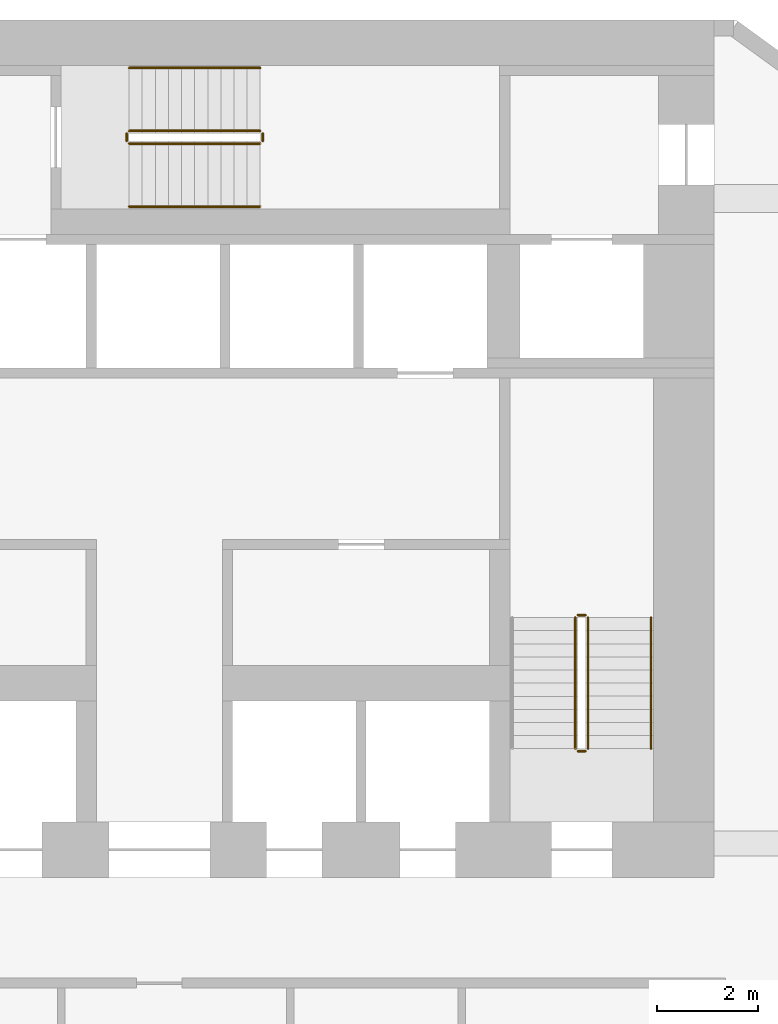
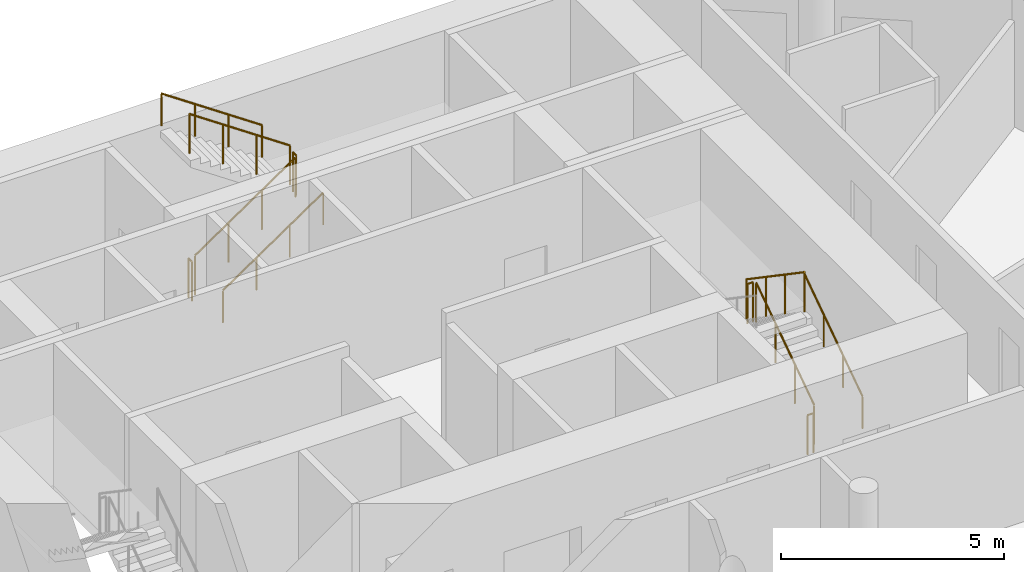
# One storey, part 9 of 9: 11 railings.
"""IFC4 building model written with IfcOpenShell, lengths in metres."""

from ifc_helpers import new_model, si_unit, direction, frame, origin, origin_2d, place, context, subcontext, project, spatial, circle, extrude, material, type_object, element, save


model = new_model("IFC4")

# Units and contexts
model_context = context("Model", 3, precision=1e-05, world=origin(), true_north=direction((0.0, 1.0)))
body_context = subcontext(model_context, "Body", "Model", "MODEL_VIEW")
ifc_project = project(units=[si_unit("LENGTHUNIT", "METRE"), si_unit("AREAUNIT", "SQUARE_METRE"), si_unit("VOLUMEUNIT", "CUBIC_METRE"), si_unit("PLANEANGLEUNIT", "RADIAN"), si_unit("MASSUNIT", "GRAM", prefix="KILO")], contexts=[model_context])

# Site, building, storey
site_placement = place(None, origin())
site = spatial("IfcSite", under=ifc_project, at=site_placement, CompositionType="ELEMENT")
building_placement = place(site_placement, origin())
building = spatial("IfcBuilding", under=site, at=building_placement, Name="White Candle Pilgrim Tower", CompositionType="ELEMENT")
storey_placement = place(building_placement, frame((0.0, 0.0, 110.300048828125)))
storey = spatial("IfcBuildingStorey", under=building, at=storey_placement, Name="L24", CompositionType="ELEMENT", Elevation=110.300048828125)

# Railings
ifc_material = material(Name="Stainless steel", Category="steel")
railing_type_1 = type_object("IfcRailingType", Name="Stair guard stainless steel 1100 mm", PredefinedType="GUARDRAIL", material=ifc_material)
railing_1_placement = place(storey_placement, frame((78.5, 73.550048828125, 0.17724609375)))
element("IfcRailing", 1, at=railing_1_placement, inside=storey, type_object=railing_type_1, Name="L24 ST2 stair guard 1", PredefinedType="GUARDRAIL", context=body_context, shape_type="SweptSolid", body=[
    extrude(circle(Radius=0.02392578125, at=origin_2d()), frame((0.0, 0.0, 1.076171875), z_axis=(0.0, 0.826215852431, 0.563353676824), x_axis=(-1.0, 0.0, 0.0)), (0.0, 0.0, 1.0), 3.146728515625),
    extrude(circle(Radius=0.02099609375, at=origin_2d()), origin(), (0.0, 0.0, 1.0), 1.052001953125),
    extrude(circle(Radius=0.02099609375, at=origin_2d()), frame((0.0, 0.86669921875, 0.5908203125)), (0.0, 0.0, 1.0), 1.052001953125),
    extrude(circle(Radius=0.02099609375, at=origin_2d()), frame((0.0, 1.733154296875, 1.181884765625)), (0.0, 0.0, 1.0), 1.052001953125),
    extrude(circle(Radius=0.02099609375, at=origin_2d()), frame((0.0, 2.599853515625, 1.772705078125)), (0.0, 0.0, 1.0), 1.052001953125),
])
railing_2_placement = place(storey_placement, frame((78.449951171875, 76.199951171875, 1.949951171875)))
element("IfcRailing", 2, at=railing_2_placement, inside=storey, type_object=railing_type_1, Name="L24 ST2 stair guard 2", PredefinedType="GUARDRAIL", context=body_context, shape_type="SweptSolid", body=[
    extrude(circle(Radius=0.02392578125, at=origin_2d()), frame((0.0, 0.0, 1.076171875), z_axis=(-1.0, 0.0, 0.0), x_axis=(0.0, -1.0, 0.0)), (0.0, 0.0, 1.0), 0.14990234375),
    extrude(circle(Radius=0.02099609375, at=origin_2d()), origin(), (0.0, 0.0, 1.0), 1.052001953125),
    extrude(circle(Radius=0.02099609375, at=origin_2d()), frame((-0.14990234375, 0.0, 0.0)), (0.0, 0.0, 1.0), 1.052001953125),
])
railing_3_placement = place(storey_placement, frame((78.25, 76.14990234375, 2.127197265625)))
element("IfcRailing", 3, at=railing_3_placement, inside=storey, type_object=railing_type_1, Name="L24 ST2 stair guard 3", PredefinedType="GUARDRAIL", context=body_context, shape_type="SweptSolid", body=[
    extrude(circle(Radius=0.02392578125, at=origin_2d()), frame((0.0, 0.0, 1.076171875), z_axis=(0.0, -0.826215852431, 0.563353676824), x_axis=(1.0, 0.0, 0.0)), (0.0, 0.0, 1.0), 3.146728515625),
    extrude(circle(Radius=0.02099609375, at=origin_2d()), origin(), (0.0, 0.0, 1.0), 1.052001953125),
    extrude(circle(Radius=0.02099609375, at=origin_2d()), frame((0.0, -0.86669921875, 0.5908203125)), (0.0, 0.0, 1.0), 1.052001953125),
    extrude(circle(Radius=0.02099609375, at=origin_2d()), frame((0.0, -1.733154296875, 1.181884765625)), (0.0, 0.0, 1.0), 1.052001953125),
    extrude(circle(Radius=0.02099609375, at=origin_2d()), frame((0.0, -2.599853515625, 1.772705078125)), (0.0, 0.0, 1.0), 1.052001953125),
])
railing_4_placement = place(storey_placement, frame((78.449951171875, 73.5, 0.0)))
element("IfcRailing", 4, at=railing_4_placement, inside=storey, type_object=railing_type_1, Name="L24 ST2 stair guard 4", PredefinedType="GUARDRAIL", context=body_context, shape_type="SweptSolid", body=[
    extrude(circle(Radius=0.02392578125, at=origin_2d()), frame((0.0, 0.0, 1.076171875), z_axis=(-1.0, 0.0, 0.0), x_axis=(0.0, -1.0, 0.0)), (0.0, 0.0, 1.0), 0.14990234375),
    extrude(circle(Radius=0.02099609375, at=origin_2d()), origin(), (0.0, 0.0, 1.0), 1.052001953125),
    extrude(circle(Radius=0.02099609375, at=origin_2d()), frame((-0.14990234375, 0.0, 0.0)), (0.0, 0.0, 1.0), 1.052001953125),
])
railing_5_placement = place(storey_placement, frame((69.39990234375, 85.550048828125, 0.17724609375)))
element("IfcRailing", 5, at=railing_5_placement, inside=storey, type_object=railing_type_1, Name="L24 ST3 stair guard 1", PredefinedType="GUARDRAIL", context=body_context, shape_type="SweptSolid", body=[
    extrude(circle(Radius=0.02392578125, at=origin_2d()), frame((0.0, 0.0, 1.076171875), z_axis=(0.826240473404, 0.0, 0.563317565952), x_axis=(0.0, 1.0, 0.0)), (0.0, 0.0, 1.0), 3.14697265625),
    extrude(circle(Radius=0.02099609375, at=origin_2d()), origin(), (0.0, 0.0, 1.0), 1.052001953125),
    extrude(circle(Radius=0.02099609375, at=origin_2d()), frame((0.86669921875, 0.0, 0.5908203125)), (0.0, 0.0, 1.0), 1.052001953125),
    extrude(circle(Radius=0.02099609375, at=origin_2d()), frame((1.7333984375, 0.0, 1.181884765625)), (0.0, 0.0, 1.0), 1.052001953125),
    extrude(circle(Radius=0.02099609375, at=origin_2d()), frame((2.60009765625, 0.0, 1.772705078125)), (0.0, 0.0, 1.0), 1.052001953125),
])
railing_6_placement = place(storey_placement, frame((72.050048828125, 85.60009765625, 1.949951171875)))
element("IfcRailing", 6, at=railing_6_placement, inside=storey, type_object=railing_type_1, Name="L24 ST3 stair guard 2", PredefinedType="GUARDRAIL", context=body_context, shape_type="SweptSolid", body=[
    extrude(circle(Radius=0.02392578125, at=origin_2d()), frame((0.0, 0.0, 1.076171875), z_axis=(0.0, 1.0, 0.0), x_axis=(-1.0, 0.0, 0.0)), (0.0, 0.0, 1.0), 0.14990234375),
    extrude(circle(Radius=0.02099609375, at=origin_2d()), origin(), (0.0, 0.0, 1.0), 1.052001953125),
    extrude(circle(Radius=0.02099609375, at=origin_2d()), frame((0.0, 0.14990234375, 0.0)), (0.0, 0.0, 1.0), 1.052001953125),
])
railing_7_placement = place(storey_placement, frame((72.0, 85.800048828125, 2.127197265625)))
element("IfcRailing", 7, at=railing_7_placement, inside=storey, type_object=railing_type_1, Name="L24 ST3 stair guard 3", PredefinedType="GUARDRAIL", context=body_context, shape_type="SweptSolid", body=[
    extrude(circle(Radius=0.02392578125, at=origin_2d()), frame((0.0, 0.0, 1.076171875), z_axis=(-0.826240473404, 0.0, 0.563317565952), x_axis=(0.0, -1.0, 0.0)), (0.0, 0.0, 1.0), 3.14697265625),
    extrude(circle(Radius=0.02099609375, at=origin_2d()), origin(), (0.0, 0.0, 1.0), 1.052001953125),
    extrude(circle(Radius=0.02099609375, at=origin_2d()), frame((-0.86669921875, 0.0, 0.5908203125)), (0.0, 0.0, 1.0), 1.052001953125),
    extrude(circle(Radius=0.02099609375, at=origin_2d()), frame((-1.7333984375, 0.0, 1.181884765625)), (0.0, 0.0, 1.0), 1.052001953125),
    extrude(circle(Radius=0.02099609375, at=origin_2d()), frame((-2.60009765625, 0.0, 1.772705078125)), (0.0, 0.0, 1.0), 1.052001953125),
])
railing_8_placement = place(storey_placement, frame((69.35009765625, 85.60009765625, 0.0)))
element("IfcRailing", 8, at=railing_8_placement, inside=storey, type_object=railing_type_1, Name="L24 ST3 stair guard 4", PredefinedType="GUARDRAIL", context=body_context, shape_type="SweptSolid", body=[
    extrude(circle(Radius=0.02392578125, at=origin_2d()), frame((0.0, 0.0, 1.076171875), z_axis=(0.0, 1.0, 0.0), x_axis=(-1.0, 0.0, 0.0)), (0.0, 0.0, 1.0), 0.14990234375),
    extrude(circle(Radius=0.02099609375, at=origin_2d()), origin(), (0.0, 0.0, 1.0), 1.052001953125),
    extrude(circle(Radius=0.02099609375, at=origin_2d()), frame((0.0, 0.14990234375, 0.0)), (0.0, 0.0, 1.0), 1.052001953125),
])
railing_type_2 = type_object("IfcRailingType", Name="Stair handrail stainless steel", PredefinedType="HANDRAIL", material=ifc_material)
railing_9_placement = place(storey_placement, frame((79.75, 73.550048828125, 0.17724609375)))
element("IfcRailing", 9, at=railing_9_placement, inside=storey, type_object=railing_type_2, Name="L24 ST2 stair handrail 1", PredefinedType="HANDRAIL", context=body_context, shape_type="SweptSolid", body=[
    extrude(circle(Radius=0.02392578125, at=origin_2d()), frame((0.0, 0.0, 0.8759765625), z_axis=(0.0, 0.826215852431, 0.563353676824), x_axis=(-1.0, 0.0, 0.0)), (0.0, 0.0, 1.0), 3.146728515625),
    extrude(circle(Radius=0.02099609375, at=origin_2d()), origin(), (0.0, 0.0, 1.0), 0.851806640625),
    extrude(circle(Radius=0.02099609375, at=origin_2d()), frame((0.0, 0.86669921875, 0.5908203125)), (0.0, 0.0, 1.0), 0.851806640625),
    extrude(circle(Radius=0.02099609375, at=origin_2d()), frame((0.0, 1.733154296875, 1.181884765625)), (0.0, 0.0, 1.0), 0.851806640625),
    extrude(circle(Radius=0.02099609375, at=origin_2d()), frame((0.0, 2.599853515625, 1.772705078125)), (0.0, 0.0, 1.0), 0.851806640625),
])
railing_10_placement = place(storey_placement, frame((69.39990234375, 84.300048828125, 0.17724609375)))
element("IfcRailing", 10, at=railing_10_placement, inside=storey, type_object=railing_type_2, Name="L24 ST3 stair handrail 1", PredefinedType="HANDRAIL", context=body_context, shape_type="SweptSolid", body=[
    extrude(circle(Radius=0.02392578125, at=origin_2d()), frame((0.0, 0.0, 0.8759765625), z_axis=(0.826240473404, 0.0, 0.563317565952), x_axis=(0.0, 1.0, 0.0)), (0.0, 0.0, 1.0), 3.14697265625),
    extrude(circle(Radius=0.02099609375, at=origin_2d()), origin(), (0.0, 0.0, 1.0), 0.851806640625),
    extrude(circle(Radius=0.02099609375, at=origin_2d()), frame((0.86669921875, 0.0, 0.5908203125)), (0.0, 0.0, 1.0), 0.851806640625),
    extrude(circle(Radius=0.02099609375, at=origin_2d()), frame((1.7333984375, 0.0, 1.181884765625)), (0.0, 0.0, 1.0), 0.851806640625),
    extrude(circle(Radius=0.02099609375, at=origin_2d()), frame((2.60009765625, 0.0, 1.772705078125)), (0.0, 0.0, 1.0), 0.851806640625),
])
railing_11_placement = place(storey_placement, frame((72.0, 87.050048828125, 2.127197265625)))
element("IfcRailing", 11, at=railing_11_placement, inside=storey, type_object=railing_type_2, Name="L24 ST3 stair handrail 2", PredefinedType="HANDRAIL", context=body_context, shape_type="SweptSolid", body=[
    extrude(circle(Radius=0.02392578125, at=origin_2d()), frame((0.0, 0.0, 0.8759765625), z_axis=(-0.826240473404, 0.0, 0.563317565952), x_axis=(0.0, -1.0, 0.0)), (0.0, 0.0, 1.0), 3.14697265625),
    extrude(circle(Radius=0.02099609375, at=origin_2d()), origin(), (0.0, 0.0, 1.0), 0.851806640625),
    extrude(circle(Radius=0.02099609375, at=origin_2d()), frame((-0.86669921875, 0.0, 0.5908203125)), (0.0, 0.0, 1.0), 0.851806640625),
    extrude(circle(Radius=0.02099609375, at=origin_2d()), frame((-1.7333984375, 0.0, 1.181884765625)), (0.0, 0.0, 1.0), 0.851806640625),
    extrude(circle(Radius=0.02099609375, at=origin_2d()), frame((-2.60009765625, 0.0, 1.772705078125)), (0.0, 0.0, 1.0), 0.851806640625),
])

save(model, "model.ifc")
